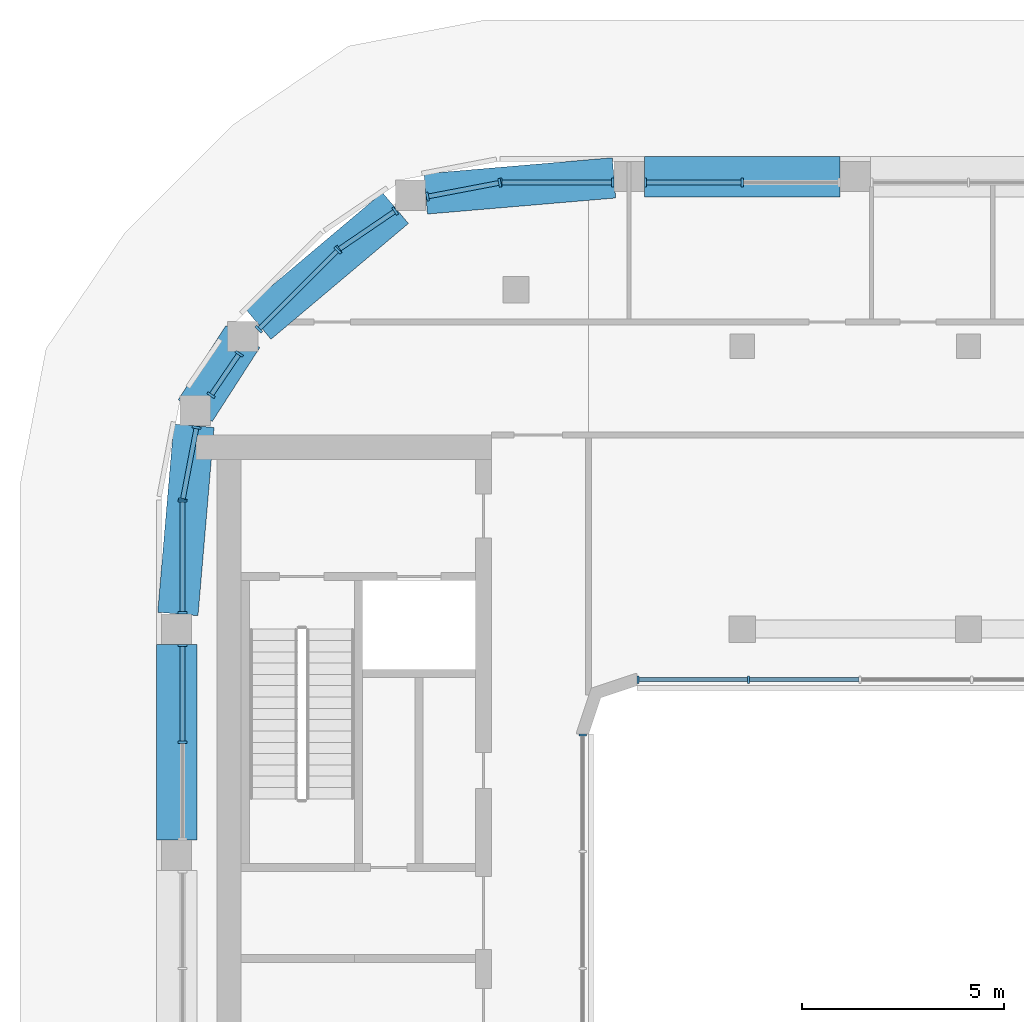
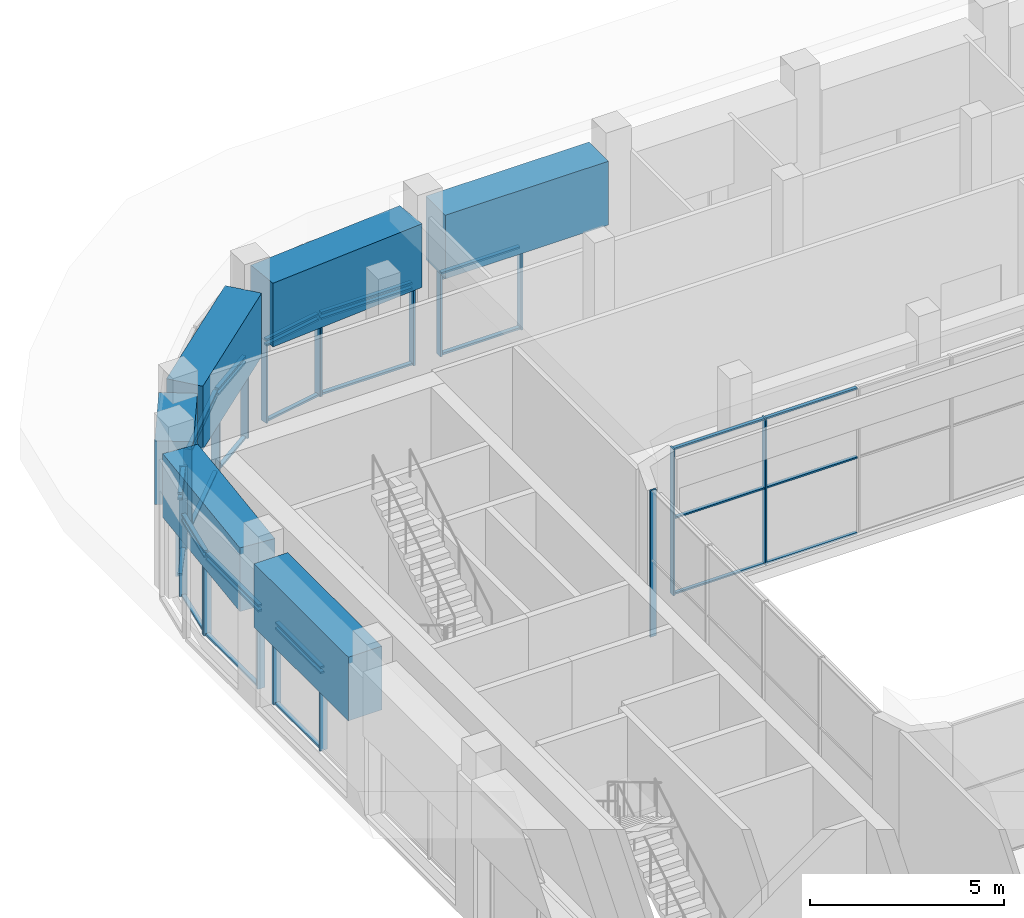
# One storey, part 7 of 23: 54 members, 6 beams, 11 elements without a shape of their own.
"""IFC4 building model written with IfcOpenShell, lengths in metres."""

from ifc_helpers import new_model, si_unit, direction, frame, origin, origin_2d, place, context, subcontext, project, spatial, rectangle, extrude, material, layer, layer_set, material_profile, profile_set, type_object, element, aggregate, save


model = new_model("IFC4")

# Units and contexts
model_context = context("Model", 3, precision=1e-05, world=origin(), true_north=direction((0.0, 1.0)))
body_context = subcontext(model_context, "Body", "Model", "MODEL_VIEW")
ifc_project = project(units=[si_unit("LENGTHUNIT", "METRE"), si_unit("AREAUNIT", "SQUARE_METRE"), si_unit("VOLUMEUNIT", "CUBIC_METRE"), si_unit("PLANEANGLEUNIT", "RADIAN"), si_unit("MASSUNIT", "GRAM", prefix="KILO")], contexts=[model_context])

# Site, building, storey
site_placement = place(None, origin())
site = spatial("IfcSite", under=ifc_project, at=site_placement, CompositionType="ELEMENT")
building_placement = place(site_placement, origin())
building = spatial("IfcBuilding", under=site, at=building_placement, Name="Kiln Ring Residences", CompositionType="ELEMENT")
storey_placement = place(building_placement, frame((0.0, 0.0, 294.5)))
storey = spatial("IfcBuildingStorey", under=building, at=storey_placement, Name="L76", CompositionType="ELEMENT", Elevation=294.5)

# Curtain wall, member
ifc_material_1 = material(Name="Aluminium and glass", Category="aluminium")
ifc_layer_1 = layer(ifc_material_1, 0.179931640625)
ifc_layer_set_1 = layer_set([ifc_layer_1], Name="CW3 CURTAIN WALL")
curtain_wall_type_1 = type_object("IfcCurtainWallType", Name="CW3 CURTAIN WALL", PredefinedType="NOTDEFINED", material=ifc_layer_set_1)
placement = place(storey_placement, origin())
curtain_wall_1 = element("IfcCurtainWall", 1, at=placement, inside=storey, type_object=curtain_wall_type_1, Name="Curtain wall CW3 L76", PredefinedType="NOTDEFINED")
ifc_material_2 = material(Name="Aluminium 6063-T6", Category="aluminium")
ifc_material_profile_1 = material_profile(ifc_material_2, rectangle(XDim=0.179931640625, YDim=0.050048828125, at=origin_2d()), Name="AL 180x50")
ifc_profile_set_1 = profile_set([ifc_material_profile_1], Name="Aluminium 6063-T6")
member_type_1 = type_object("IfcMemberType", Name="CW3 MULLION 180 x 50", PredefinedType="MULLION", material=ifc_profile_set_1)
member_1_placement = place(storey_placement, frame((-15.14990234375, 5.77490234375, 0.0), z_axis=(0.0, 0.0, 1.0), x_axis=(-1.0, 0.0, 0.0)))
member_1 = element("IfcMember", 2, at=member_1_placement, type_object=member_type_1, Name="CW3 mullion 5", PredefinedType="MULLION", context=body_context, shape_type="SweptSolid", body=[
    extrude(rectangle(XDim=0.179931640625, YDim=0.050048828125, at=origin_2d()), origin(), (0.0, 0.0, 1.0), 4.60009765625),
])
aggregate(curtain_wall_1, [member_1])

# Curtain wall, members
curtain_wall_2 = element("IfcCurtainWall", 3, at=placement, inside=storey, type_object=curtain_wall_type_1, Name="Curtain wall CW3 L76", PredefinedType="NOTDEFINED")
member_2_placement = place(storey_placement, frame((-13.77490234375, 7.14990234375, 0.0), z_axis=(0.0, 0.0, 1.0), x_axis=(0.0, 1.0, 0.0)))
member_2 = element("IfcMember", 4, at=member_2_placement, type_object=member_type_1, Name="CW3 mullion 1", PredefinedType="MULLION", context=body_context, shape_type="SweptSolid", body=[
    extrude(rectangle(XDim=0.179931640625, YDim=0.050048828125, at=origin_2d()), origin(), (0.0, 0.0, 1.0), 4.60009765625),
])
member_3_placement = place(storey_placement, frame((-11.0400390625, 7.14990234375, 0.0), z_axis=(0.0, 0.0, 1.0), x_axis=(0.0, 1.0, 0.0)))
member_3 = element("IfcMember", 5, at=member_3_placement, type_object=member_type_1, Name="CW3 mullion 2", PredefinedType="MULLION", context=body_context, shape_type="SweptSolid", body=[
    extrude(rectangle(XDim=0.179931640625, YDim=0.050048828125, at=origin_2d()), origin(), (0.0, 0.0, 1.0), 4.60009765625),
])
ifc_material_3 = material(Name="Aluminium 6063-T6", Category="aluminium")
ifc_material_profile_2 = material_profile(ifc_material_3, rectangle(XDim=0.10009765625, YDim=0.050048828125, at=origin_2d()), Name="AL 100x50")
ifc_profile_set_2 = profile_set([ifc_material_profile_2], Name="Aluminium 6063-T6")
member_type_2 = type_object("IfcMemberType", Name="CW3 TRANSOM 100 x 50", PredefinedType="USERDEFINED", material=ifc_profile_set_2)
member_4_placement = place(storey_placement, frame((-13.75, 7.14990234375, 0.02490234375), z_axis=(1.0, 0.0, 0.0), x_axis=(0.0, 1.0, 0.0)))
member_4 = element("IfcMember", 6, at=member_4_placement, type_object=member_type_2, Name="CW3 transom 1.1", ObjectType="TRANSOM", PredefinedType="USERDEFINED", context=body_context, shape_type="SweptSolid", body=[
    extrude(rectangle(XDim=0.10009765625, YDim=0.050048828125, at=origin_2d()), origin(), (0.0, 0.0, 1.0), 2.68505859375),
])
member_5_placement = place(storey_placement, frame((-13.75, 7.14990234375, 2.39990234375), z_axis=(1.0, 0.0, 0.0), x_axis=(0.0, 1.0, 0.0)))
member_5 = element("IfcMember", 7, at=member_5_placement, type_object=member_type_2, Name="CW3 transom 1.2", ObjectType="TRANSOM", PredefinedType="USERDEFINED", context=body_context, shape_type="SweptSolid", body=[
    extrude(rectangle(XDim=0.10009765625, YDim=0.050048828125, at=origin_2d()), origin(), (0.0, 0.0, 1.0), 2.68505859375),
])
member_6_placement = place(storey_placement, frame((-13.75, 7.14990234375, 4.574951171875), z_axis=(1.0, 0.0, 0.0), x_axis=(0.0, 1.0, 0.0)))
member_6 = element("IfcMember", 8, at=member_6_placement, type_object=member_type_2, Name="CW3 transom 1.3", ObjectType="TRANSOM", PredefinedType="USERDEFINED", context=body_context, shape_type="SweptSolid", body=[
    extrude(rectangle(XDim=0.10009765625, YDim=0.050048828125, at=origin_2d()), origin(), (0.0, 0.0, 1.0), 2.68505859375),
])
member_7_placement = place(storey_placement, frame((-11.014892578125, 7.14990234375, 0.02490234375), z_axis=(1.0, 0.0, 0.0), x_axis=(0.0, 1.0, 0.0)))
member_7 = element("IfcMember", 9, at=member_7_placement, type_object=member_type_2, Name="CW3 transom 2.1", ObjectType="TRANSOM", PredefinedType="USERDEFINED", context=body_context, shape_type="SweptSolid", body=[
    extrude(rectangle(XDim=0.10009765625, YDim=0.050048828125, at=origin_2d()), origin(), (0.0, 0.0, 1.0), 2.7099609375),
])
member_8_placement = place(storey_placement, frame((-11.014892578125, 7.14990234375, 2.39990234375), z_axis=(1.0, 0.0, 0.0), x_axis=(0.0, 1.0, 0.0)))
member_8 = element("IfcMember", 10, at=member_8_placement, type_object=member_type_2, Name="CW3 transom 2.2", ObjectType="TRANSOM", PredefinedType="USERDEFINED", context=body_context, shape_type="SweptSolid", body=[
    extrude(rectangle(XDim=0.10009765625, YDim=0.050048828125, at=origin_2d()), origin(), (0.0, 0.0, 1.0), 2.7099609375),
])
member_9_placement = place(storey_placement, frame((-11.014892578125, 7.14990234375, 4.574951171875), z_axis=(1.0, 0.0, 0.0), x_axis=(0.0, 1.0, 0.0)))
member_9 = element("IfcMember", 11, at=member_9_placement, type_object=member_type_2, Name="CW3 transom 2.3", ObjectType="TRANSOM", PredefinedType="USERDEFINED", context=body_context, shape_type="SweptSolid", body=[
    extrude(rectangle(XDim=0.10009765625, YDim=0.050048828125, at=origin_2d()), origin(), (0.0, 0.0, 1.0), 2.7099609375),
])
aggregate(curtain_wall_2, [member_2, member_3, member_4, member_5, member_6, member_7, member_8, member_9])

ifc_material_4 = material(Name="Aluminium and glass", Category="aluminium")
ifc_layer_2 = layer(ifc_material_4, 0.219970703125)
ifc_layer_set_2 = layer_set([ifc_layer_2], Name="CW5 CURTAIN WALL")
curtain_wall_type_2 = type_object("IfcCurtainWallType", Name="CW5 CURTAIN WALL", PredefinedType="NOTDEFINED", material=ifc_layer_set_2)
curtain_wall_3 = element("IfcCurtainWall", 12, at=placement, inside=storey, type_object=curtain_wall_type_2, Name="Curtain wall CW5 L76", PredefinedType="NOTDEFINED")
ifc_material_5 = material(Name="Aluminium 6063-T6", Category="aluminium")
ifc_material_profile_3 = material_profile(ifc_material_5, rectangle(XDim=0.219970703125, YDim=0.06005859375, at=origin_2d()), Name="AL 220x60")
ifc_profile_set_3 = profile_set([ifc_material_profile_3], Name="Aluminium 6063-T6")
member_type_3 = type_object("IfcMemberType", Name="CW5 MULLION 220 x 60", PredefinedType="MULLION", material=ifc_profile_set_3)
member_10_placement = place(storey_placement, frame((-11.199951171875, 19.449951171875, 0.0), z_axis=(0.0, 0.0, 1.0), x_axis=(0.0, -1.0, 0.0)))
member_10 = element("IfcMember", 13, at=member_10_placement, type_object=member_type_3, Name="CW5 mullion 2", PredefinedType="MULLION", context=body_context, shape_type="SweptSolid", body=[
    extrude(rectangle(XDim=0.219970703125, YDim=0.06005859375, at=origin_2d()), origin(), (0.0, 0.0, 1.0), 2.60009765625),
])
member_11_placement = place(storey_placement, frame((-13.594970703125, 19.449951171875, 0.0), z_axis=(0.0, 0.0, 1.0), x_axis=(0.0, -1.0, 0.0)))
member_11 = element("IfcMember", 14, at=member_11_placement, type_object=member_type_3, Name="CW5 mullion 3", PredefinedType="MULLION", context=body_context, shape_type="SweptSolid", body=[
    extrude(rectangle(XDim=0.219970703125, YDim=0.06005859375, at=origin_2d()), origin(), (0.0, 0.0, 1.0), 2.60009765625),
])

curtain_wall_4 = element("IfcCurtainWall", 15, at=placement, inside=storey, type_object=curtain_wall_type_2, Name="Curtain wall CW5 L76", PredefinedType="NOTDEFINED")
member_12_placement = place(storey_placement, frame((-14.405029296875, 19.449951171875, 0.0), z_axis=(0.0, 0.0, 1.0), x_axis=(0.0, -1.0, 0.0)))
member_12 = element("IfcMember", 16, at=member_12_placement, type_object=member_type_3, Name="CW5 mullion 1", PredefinedType="MULLION", context=body_context, shape_type="SweptSolid", body=[
    extrude(rectangle(XDim=0.219970703125, YDim=0.06005859375, at=origin_2d()), origin(), (0.0, 0.0, 1.0), 2.60009765625),
])
member_13_placement = place(storey_placement, frame((-17.169921875, 19.449951171875, 0.0), z_axis=(0.0, 0.0, 1.0), x_axis=(0.0, -1.0, 0.0)))
member_13 = element("IfcMember", 17, at=member_13_placement, type_object=member_type_3, Name="CW5 mullion 2", PredefinedType="MULLION", context=body_context, shape_type="SweptSolid", body=[
    extrude(rectangle(XDim=0.219970703125, YDim=0.06005859375, at=origin_2d()), origin(), (0.0, 0.0, 1.0), 2.60009765625),
])

curtain_wall_5 = element("IfcCurtainWall", 18, at=placement, inside=storey, type_object=curtain_wall_type_2, Name="Curtain wall CW5 L76", PredefinedType="NOTDEFINED")
member_14_placement = place(storey_placement, frame((-17.201416015625, 19.447021484375, 0.0), z_axis=(0.0, 0.0, 1.0), x_axis=(0.187365550364, -0.982290257784, 0.0)))
member_14 = element("IfcMember", 19, at=member_14_placement, type_object=member_type_3, Name="CW5 mullion 1", PredefinedType="MULLION", context=body_context, shape_type="SweptSolid", body=[
    extrude(rectangle(XDim=0.219970703125, YDim=0.06005859375, at=origin_2d()), origin(), (0.0, 0.0, 1.0), 2.60009765625),
])
member_15_placement = place(storey_placement, frame((-18.990234375, 19.105712890625, 0.0), z_axis=(0.0, 0.0, 1.0), x_axis=(0.187365550364, -0.982290257784, 0.0)))
member_15 = element("IfcMember", 20, at=member_15_placement, type_object=member_type_3, Name="CW5 mullion 2", PredefinedType="MULLION", context=body_context, shape_type="SweptSolid", body=[
    extrude(rectangle(XDim=0.219970703125, YDim=0.06005859375, at=origin_2d()), origin(), (0.0, 0.0, 1.0), 2.60009765625),
])

curtain_wall_6 = element("IfcCurtainWall", 21, at=placement, inside=storey, type_object=curtain_wall_type_2, Name="Curtain wall CW5 L76", PredefinedType="NOTDEFINED")
member_16_placement = place(storey_placement, frame((-19.789306640625, 18.746337890625, 0.0), z_axis=(0.0, 0.0, 1.0), x_axis=(0.562096651134, -0.827071553606, 0.0)))
member_16 = element("IfcMember", 22, at=member_16_placement, type_object=member_type_3, Name="CW5 mullion 1", PredefinedType="MULLION", context=body_context, shape_type="SweptSolid", body=[
    extrude(rectangle(XDim=0.219970703125, YDim=0.06005859375, at=origin_2d()), origin(), (0.0, 0.0, 1.0), 2.60009765625),
])
member_17_placement = place(storey_placement, frame((-21.18798828125, 17.795654296875, 0.0), z_axis=(0.0, 0.0, 1.0), x_axis=(0.562096651134, -0.827071553606, 0.0)))
member_17 = element("IfcMember", 23, at=member_17_placement, type_object=member_type_3, Name="CW5 mullion 2", PredefinedType="MULLION", context=body_context, shape_type="SweptSolid", body=[
    extrude(rectangle(XDim=0.219970703125, YDim=0.06005859375, at=origin_2d()), origin(), (0.0, 0.0, 1.0), 2.60009765625),
])

curtain_wall_7 = element("IfcCurtainWall", 24, at=placement, inside=storey, type_object=curtain_wall_type_2, Name="Curtain wall CW5 L76", PredefinedType="NOTDEFINED")
member_18_placement = place(storey_placement, frame((-21.212158203125, 17.775634765625, 0.0), z_axis=(0.0, 0.0, 1.0), x_axis=(0.707106781187, -0.707106781187, 0.0)))
member_18 = element("IfcMember", 25, at=member_18_placement, type_object=member_type_3, Name="CW5 mullion 1", PredefinedType="MULLION", context=body_context, shape_type="SweptSolid", body=[
    extrude(rectangle(XDim=0.219970703125, YDim=0.06005859375, at=origin_2d()), origin(), (0.0, 0.0, 1.0), 2.60009765625),
])
member_19_placement = place(storey_placement, frame((-23.16357421875, 15.82421875, 0.0), z_axis=(0.0, 0.0, 1.0), x_axis=(0.707106781187, -0.707106781187, 0.0)))
member_19 = element("IfcMember", 26, at=member_19_placement, type_object=member_type_3, Name="CW5 mullion 2", PredefinedType="MULLION", context=body_context, shape_type="SweptSolid", body=[
    extrude(rectangle(XDim=0.219970703125, YDim=0.06005859375, at=origin_2d()), origin(), (0.0, 0.0, 1.0), 2.60009765625),
])

curtain_wall_8 = element("IfcCurtainWall", 27, at=placement, inside=storey, type_object=curtain_wall_type_2, Name="Curtain wall CW5 L76", PredefinedType="NOTDEFINED")
member_20_placement = place(storey_placement, frame((-23.65087890625, 15.21240234375, 0.0), z_axis=(0.0, 0.0, 1.0), x_axis=(0.827071553674, -0.562096651033, 0.0)))
member_20 = element("IfcMember", 28, at=member_20_placement, type_object=member_type_3, Name="CW5 mullion 1", PredefinedType="MULLION", context=body_context, shape_type="SweptSolid", body=[
    extrude(rectangle(XDim=0.219970703125, YDim=0.06005859375, at=origin_2d()), origin(), (0.0, 0.0, 1.0), 2.60009765625),
])
member_21_placement = place(storey_placement, frame((-24.34619140625, 14.189453125, 0.0), z_axis=(0.0, 0.0, 1.0), x_axis=(0.827071553674, -0.562096651033, 0.0)))
member_21 = element("IfcMember", 29, at=member_21_placement, type_object=member_type_3, Name="CW5 mullion 2", PredefinedType="MULLION", context=body_context, shape_type="SweptSolid", body=[
    extrude(rectangle(XDim=0.219970703125, YDim=0.06005859375, at=origin_2d()), origin(), (0.0, 0.0, 1.0), 2.60009765625),
])

curtain_wall_9 = element("IfcCurtainWall", 30, at=placement, inside=storey, type_object=curtain_wall_type_2, Name="Curtain wall CW5 L76", PredefinedType="NOTDEFINED")
member_22_placement = place(storey_placement, frame((-24.705810546875, 13.39013671875, 0.0), z_axis=(0.0, 0.0, 1.0), x_axis=(0.982290257784, -0.187365550364, 0.0)))
member_22 = element("IfcMember", 31, at=member_22_placement, type_object=member_type_3, Name="CW5 mullion 1", PredefinedType="MULLION", context=body_context, shape_type="SweptSolid", body=[
    extrude(rectangle(XDim=0.219970703125, YDim=0.06005859375, at=origin_2d()), origin(), (0.0, 0.0, 1.0), 2.60009765625),
])
member_23_placement = place(storey_placement, frame((-25.047119140625, 11.601318359375, 0.0), z_axis=(0.0, 0.0, 1.0), x_axis=(0.982290257784, -0.187365550364, 0.0)))
member_23 = element("IfcMember", 32, at=member_23_placement, type_object=member_type_3, Name="CW5 mullion 2", PredefinedType="MULLION", context=body_context, shape_type="SweptSolid", body=[
    extrude(rectangle(XDim=0.219970703125, YDim=0.06005859375, at=origin_2d()), origin(), (0.0, 0.0, 1.0), 2.60009765625),
])

curtain_wall_10 = element("IfcCurtainWall", 33, at=placement, inside=storey, type_object=curtain_wall_type_2, Name="Curtain wall CW5 L76", PredefinedType="NOTDEFINED")
member_24_placement = place(storey_placement, frame((-25.050048828125, 11.570068359375, 0.0), z_axis=(0.0, 0.0, 1.0), x_axis=(1.0, 0.0, 0.0)))
member_24 = element("IfcMember", 34, at=member_24_placement, type_object=member_type_3, Name="CW5 mullion 1", PredefinedType="MULLION", context=body_context, shape_type="SweptSolid", body=[
    extrude(rectangle(XDim=0.219970703125, YDim=0.06005859375, at=origin_2d()), origin(), (0.0, 0.0, 1.0), 2.60009765625),
])
member_25_placement = place(storey_placement, frame((-25.050048828125, 8.804931640625, 0.0), z_axis=(0.0, 0.0, 1.0), x_axis=(1.0, 0.0, 0.0)))
member_25 = element("IfcMember", 35, at=member_25_placement, type_object=member_type_3, Name="CW5 mullion 2", PredefinedType="MULLION", context=body_context, shape_type="SweptSolid", body=[
    extrude(rectangle(XDim=0.219970703125, YDim=0.06005859375, at=origin_2d()), origin(), (0.0, 0.0, 1.0), 2.60009765625),
])

curtain_wall_11 = element("IfcCurtainWall", 36, at=placement, inside=storey, type_object=curtain_wall_type_2, Name="Curtain wall CW5 L76", PredefinedType="NOTDEFINED")
member_26_placement = place(storey_placement, frame((-25.050048828125, 7.9951171875, 0.0), z_axis=(0.0, 0.0, 1.0), x_axis=(1.0, 0.0, 0.0)))
member_26 = element("IfcMember", 37, at=member_26_placement, type_object=member_type_3, Name="CW5 mullion 1", PredefinedType="MULLION", context=body_context, shape_type="SweptSolid", body=[
    extrude(rectangle(XDim=0.219970703125, YDim=0.06005859375, at=origin_2d()), origin(), (0.0, 0.0, 1.0), 2.60009765625),
])
member_27_placement = place(storey_placement, frame((-25.050048828125, 5.60009765625, 0.0), z_axis=(0.0, 0.0, 1.0), x_axis=(1.0, 0.0, 0.0)))
member_27 = element("IfcMember", 38, at=member_27_placement, type_object=member_type_3, Name="CW5 mullion 2", PredefinedType="MULLION", context=body_context, shape_type="SweptSolid", body=[
    extrude(rectangle(XDim=0.219970703125, YDim=0.06005859375, at=origin_2d()), origin(), (0.0, 0.0, 1.0), 2.60009765625),
])

# Member
ifc_material_6 = material(Name="Aluminium 6063-T6", Category="aluminium")
ifc_material_profile_4 = material_profile(ifc_material_6, rectangle(XDim=0.1201171875, YDim=0.06005859375, at=origin_2d()), Name="AL 120x60")
ifc_profile_set_4 = profile_set([ifc_material_profile_4], Name="Aluminium 6063-T6")
member_type_4 = type_object("IfcMemberType", Name="CW5 TRANSOM 120 x 60", PredefinedType="USERDEFINED", material=ifc_profile_set_4)
member_28_placement = place(storey_placement, frame((-11.22998046875, 19.449951171875, 0.030029296875), z_axis=(-1.0, 0.0, 0.0), x_axis=(0.0, -1.0, 0.0)))
member_28 = element("IfcMember", 39, at=member_28_placement, type_object=member_type_4, Name="CW5 transom 2.1", ObjectType="TRANSOM", PredefinedType="USERDEFINED", context=body_context, shape_type="SweptSolid", body=[
    extrude(rectangle(XDim=0.1201171875, YDim=0.06005859375, at=origin_2d()), origin(), (0.0, 0.0, 1.0), 2.3349609375),
])

member_29_placement = place(storey_placement, frame((-11.22998046875, 19.449951171875, 2.39990234375), z_axis=(-1.0, 0.0, 0.0), x_axis=(0.0, -1.0, 0.0)))
member_29 = element("IfcMember", 40, at=member_29_placement, type_object=member_type_4, Name="CW5 transom 2.2", ObjectType="TRANSOM", PredefinedType="USERDEFINED", context=body_context, shape_type="SweptSolid", body=[
    extrude(rectangle(XDim=0.1201171875, YDim=0.06005859375, at=origin_2d()), origin(), (0.0, 0.0, 1.0), 2.3349609375),
])

member_30_placement = place(storey_placement, frame((-11.22998046875, 19.449951171875, 2.570068359375), z_axis=(-1.0, 0.0, 0.0), x_axis=(0.0, -1.0, 0.0)))
member_30 = element("IfcMember", 41, at=member_30_placement, type_object=member_type_4, Name="CW5 transom 2.3", ObjectType="TRANSOM", PredefinedType="USERDEFINED", context=body_context, shape_type="SweptSolid", body=[
    extrude(rectangle(XDim=0.1201171875, YDim=0.06005859375, at=origin_2d()), origin(), (0.0, 0.0, 1.0), 2.3349609375),
])

aggregate(curtain_wall_3, [member_10, member_11, member_28, member_29, member_30])

member_31_placement = place(storey_placement, frame((-14.43505859375, 19.449951171875, 0.030029296875), z_axis=(-1.0, 0.0, 0.0), x_axis=(0.0, -1.0, 0.0)))
member_31 = element("IfcMember", 42, at=member_31_placement, type_object=member_type_4, Name="CW5 transom 1.1", ObjectType="TRANSOM", PredefinedType="USERDEFINED", context=body_context, shape_type="SweptSolid", body=[
    extrude(rectangle(XDim=0.1201171875, YDim=0.06005859375, at=origin_2d()), origin(), (0.0, 0.0, 1.0), 2.704833984375),
])

member_32_placement = place(storey_placement, frame((-14.43505859375, 19.449951171875, 2.39990234375), z_axis=(-1.0, 0.0, 0.0), x_axis=(0.0, -1.0, 0.0)))
member_32 = element("IfcMember", 43, at=member_32_placement, type_object=member_type_4, Name="CW5 transom 1.2", ObjectType="TRANSOM", PredefinedType="USERDEFINED", context=body_context, shape_type="SweptSolid", body=[
    extrude(rectangle(XDim=0.1201171875, YDim=0.06005859375, at=origin_2d()), origin(), (0.0, 0.0, 1.0), 2.704833984375),
])

member_33_placement = place(storey_placement, frame((-14.43505859375, 19.449951171875, 2.570068359375), z_axis=(-1.0, 0.0, 0.0), x_axis=(0.0, -1.0, 0.0)))
member_33 = element("IfcMember", 44, at=member_33_placement, type_object=member_type_4, Name="CW5 transom 1.3", ObjectType="TRANSOM", PredefinedType="USERDEFINED", context=body_context, shape_type="SweptSolid", body=[
    extrude(rectangle(XDim=0.1201171875, YDim=0.06005859375, at=origin_2d()), origin(), (0.0, 0.0, 1.0), 2.704833984375),
])

aggregate(curtain_wall_4, [member_12, member_13, member_31, member_32, member_33])

member_34_placement = place(storey_placement, frame((-17.230712890625, 19.44140625, 0.030029296875), z_axis=(-0.982280279114, -0.187417857375, 0.0), x_axis=(0.187417857375, -0.982280279114, 0.0)))
member_34 = element("IfcMember", 45, at=member_34_placement, type_object=member_type_4, Name="CW5 transom 1.1", ObjectType="TRANSOM", PredefinedType="USERDEFINED", context=body_context, shape_type="SweptSolid", body=[
    extrude(rectangle(XDim=0.1201171875, YDim=0.06005859375, at=origin_2d()), origin(), (0.0, 0.0, 1.0), 1.76123046875),
])

member_35_placement = place(storey_placement, frame((-17.230712890625, 19.44140625, 2.39990234375), z_axis=(-0.982280279114, -0.187417857375, 0.0), x_axis=(0.187417857375, -0.982280279114, 0.0)))
member_35 = element("IfcMember", 46, at=member_35_placement, type_object=member_type_4, Name="CW5 transom 1.2", ObjectType="TRANSOM", PredefinedType="USERDEFINED", context=body_context, shape_type="SweptSolid", body=[
    extrude(rectangle(XDim=0.1201171875, YDim=0.06005859375, at=origin_2d()), origin(), (0.0, 0.0, 1.0), 1.76123046875),
])

member_36_placement = place(storey_placement, frame((-17.230712890625, 19.44140625, 2.570068359375), z_axis=(-0.982280279114, -0.187417857375, 0.0), x_axis=(0.187417857375, -0.982280279114, 0.0)))
member_36 = element("IfcMember", 47, at=member_36_placement, type_object=member_type_4, Name="CW5 transom 1.3", ObjectType="TRANSOM", PredefinedType="USERDEFINED", context=body_context, shape_type="SweptSolid", body=[
    extrude(rectangle(XDim=0.1201171875, YDim=0.06005859375, at=origin_2d()), origin(), (0.0, 0.0, 1.0), 1.76123046875),
])

aggregate(curtain_wall_5, [member_14, member_15, member_34, member_35, member_36])

member_37_placement = place(storey_placement, frame((-19.814208984375, 18.7294921875, 0.030029296875), z_axis=(-0.826996096484, -0.562207663058, 0.0), x_axis=(0.562207663058, -0.826996096484, 0.0)))
member_37 = element("IfcMember", 48, at=member_37_placement, type_object=member_type_4, Name="CW5 transom 1.1", ObjectType="TRANSOM", PredefinedType="USERDEFINED", context=body_context, shape_type="SweptSolid", body=[
    extrude(rectangle(XDim=0.1201171875, YDim=0.06005859375, at=origin_2d()), origin(), (0.0, 0.0, 1.0), 1.631103515625),
])

member_38_placement = place(storey_placement, frame((-19.814208984375, 18.7294921875, 2.39990234375), z_axis=(-0.826996096484, -0.562207663058, 0.0), x_axis=(0.562207663058, -0.826996096484, 0.0)))
member_38 = element("IfcMember", 49, at=member_38_placement, type_object=member_type_4, Name="CW5 transom 1.2", ObjectType="TRANSOM", PredefinedType="USERDEFINED", context=body_context, shape_type="SweptSolid", body=[
    extrude(rectangle(XDim=0.1201171875, YDim=0.06005859375, at=origin_2d()), origin(), (0.0, 0.0, 1.0), 1.631103515625),
])

member_39_placement = place(storey_placement, frame((-19.814208984375, 18.7294921875, 2.570068359375), z_axis=(-0.826996096484, -0.562207663058, 0.0), x_axis=(0.562207663058, -0.826996096484, 0.0)))
member_39 = element("IfcMember", 50, at=member_39_placement, type_object=member_type_4, Name="CW5 transom 1.3", ObjectType="TRANSOM", PredefinedType="USERDEFINED", context=body_context, shape_type="SweptSolid", body=[
    extrude(rectangle(XDim=0.1201171875, YDim=0.06005859375, at=origin_2d()), origin(), (0.0, 0.0, 1.0), 1.631103515625),
])

aggregate(curtain_wall_6, [member_16, member_17, member_37, member_38, member_39])

member_40_placement = place(storey_placement, frame((-21.2333984375, 17.75439453125, 0.030029296875), z_axis=(-0.707106781187, -0.707106781187, 0.0), x_axis=(0.707106781187, -0.707106781187, 0.0)))
member_40 = element("IfcMember", 51, at=member_40_placement, type_object=member_type_4, Name="CW5 transom 1.1", ObjectType="TRANSOM", PredefinedType="USERDEFINED", context=body_context, shape_type="SweptSolid", body=[
    extrude(rectangle(XDim=0.1201171875, YDim=0.06005859375, at=origin_2d()), origin(), (0.0, 0.0, 1.0), 2.69970703125),
])

member_41_placement = place(storey_placement, frame((-21.2333984375, 17.75439453125, 2.39990234375), z_axis=(-0.707106781187, -0.707106781187, 0.0), x_axis=(0.707106781187, -0.707106781187, 0.0)))
member_41 = element("IfcMember", 52, at=member_41_placement, type_object=member_type_4, Name="CW5 transom 1.2", ObjectType="TRANSOM", PredefinedType="USERDEFINED", context=body_context, shape_type="SweptSolid", body=[
    extrude(rectangle(XDim=0.1201171875, YDim=0.06005859375, at=origin_2d()), origin(), (0.0, 0.0, 1.0), 2.69970703125),
])

member_42_placement = place(storey_placement, frame((-21.2333984375, 17.75439453125, 2.570068359375), z_axis=(-0.707106781187, -0.707106781187, 0.0), x_axis=(0.707106781187, -0.707106781187, 0.0)))
member_42 = element("IfcMember", 53, at=member_42_placement, type_object=member_type_4, Name="CW5 transom 1.3", ObjectType="TRANSOM", PredefinedType="USERDEFINED", context=body_context, shape_type="SweptSolid", body=[
    extrude(rectangle(XDim=0.1201171875, YDim=0.06005859375, at=origin_2d()), origin(), (0.0, 0.0, 1.0), 2.69970703125),
])

aggregate(curtain_wall_7, [member_18, member_19, member_40, member_41, member_42])

member_43_placement = place(storey_placement, frame((-23.667724609375, 15.187744140625, 0.030029296875), z_axis=(-0.56204904385, -0.827103906596, 0.0), x_axis=(0.827103906596, -0.56204904385, 0.0)))
member_43 = element("IfcMember", 54, at=member_43_placement, type_object=member_type_4, Name="CW5 transom 1.1", ObjectType="TRANSOM", PredefinedType="USERDEFINED", context=body_context, shape_type="SweptSolid", body=[
    extrude(rectangle(XDim=0.1201171875, YDim=0.06005859375, at=origin_2d()), origin(), (0.0, 0.0, 1.0), 1.17724609375),
])

member_44_placement = place(storey_placement, frame((-23.667724609375, 15.187744140625, 2.39990234375), z_axis=(-0.56204904385, -0.827103906596, 0.0), x_axis=(0.827103906596, -0.56204904385, 0.0)))
member_44 = element("IfcMember", 55, at=member_44_placement, type_object=member_type_4, Name="CW5 transom 1.2", ObjectType="TRANSOM", PredefinedType="USERDEFINED", context=body_context, shape_type="SweptSolid", body=[
    extrude(rectangle(XDim=0.1201171875, YDim=0.06005859375, at=origin_2d()), origin(), (0.0, 0.0, 1.0), 1.17724609375),
])

member_45_placement = place(storey_placement, frame((-23.667724609375, 15.187744140625, 2.570068359375), z_axis=(-0.56204904385, -0.827103906596, 0.0), x_axis=(0.827103906596, -0.56204904385, 0.0)))
member_45 = element("IfcMember", 56, at=member_45_placement, type_object=member_type_4, Name="CW5 transom 1.3", ObjectType="TRANSOM", PredefinedType="USERDEFINED", context=body_context, shape_type="SweptSolid", body=[
    extrude(rectangle(XDim=0.1201171875, YDim=0.06005859375, at=origin_2d()), origin(), (0.0, 0.0, 1.0), 1.17724609375),
])

aggregate(curtain_wall_8, [member_20, member_21, member_43, member_44, member_45])

member_46_placement = place(storey_placement, frame((-24.71142578125, 13.36083984375, 0.030029296875), z_axis=(-0.187417857375, -0.982280279114, 0.0), x_axis=(0.982280279114, -0.187417857375, 0.0)))
member_46 = element("IfcMember", 57, at=member_46_placement, type_object=member_type_4, Name="CW5 transom 1.1", ObjectType="TRANSOM", PredefinedType="USERDEFINED", context=body_context, shape_type="SweptSolid", body=[
    extrude(rectangle(XDim=0.1201171875, YDim=0.06005859375, at=origin_2d()), origin(), (0.0, 0.0, 1.0), 1.76123046875),
])

member_47_placement = place(storey_placement, frame((-24.71142578125, 13.36083984375, 2.39990234375), z_axis=(-0.187417857375, -0.982280279114, 0.0), x_axis=(0.982280279114, -0.187417857375, 0.0)))
member_47 = element("IfcMember", 58, at=member_47_placement, type_object=member_type_4, Name="CW5 transom 1.2", ObjectType="TRANSOM", PredefinedType="USERDEFINED", context=body_context, shape_type="SweptSolid", body=[
    extrude(rectangle(XDim=0.1201171875, YDim=0.06005859375, at=origin_2d()), origin(), (0.0, 0.0, 1.0), 1.76123046875),
])

member_48_placement = place(storey_placement, frame((-24.71142578125, 13.36083984375, 2.570068359375), z_axis=(-0.187417857375, -0.982280279114, 0.0), x_axis=(0.982280279114, -0.187417857375, 0.0)))
member_48 = element("IfcMember", 59, at=member_48_placement, type_object=member_type_4, Name="CW5 transom 1.3", ObjectType="TRANSOM", PredefinedType="USERDEFINED", context=body_context, shape_type="SweptSolid", body=[
    extrude(rectangle(XDim=0.1201171875, YDim=0.06005859375, at=origin_2d()), origin(), (0.0, 0.0, 1.0), 1.76123046875),
])

aggregate(curtain_wall_9, [member_22, member_23, member_46, member_47, member_48])

member_49_placement = place(storey_placement, frame((-25.050048828125, 11.5400390625, 0.030029296875), z_axis=(0.0, -1.0, 0.0), x_axis=(1.0, 0.0, 0.0)))
member_49 = element("IfcMember", 60, at=member_49_placement, type_object=member_type_4, Name="CW5 transom 1.1", ObjectType="TRANSOM", PredefinedType="USERDEFINED", context=body_context, shape_type="SweptSolid", body=[
    extrude(rectangle(XDim=0.1201171875, YDim=0.06005859375, at=origin_2d()), origin(), (0.0, 0.0, 1.0), 2.705078125),
])

member_50_placement = place(storey_placement, frame((-25.050048828125, 11.5400390625, 2.39990234375), z_axis=(0.0, -1.0, 0.0), x_axis=(1.0, 0.0, 0.0)))
member_50 = element("IfcMember", 61, at=member_50_placement, type_object=member_type_4, Name="CW5 transom 1.2", ObjectType="TRANSOM", PredefinedType="USERDEFINED", context=body_context, shape_type="SweptSolid", body=[
    extrude(rectangle(XDim=0.1201171875, YDim=0.06005859375, at=origin_2d()), origin(), (0.0, 0.0, 1.0), 2.705078125),
])

member_51_placement = place(storey_placement, frame((-25.050048828125, 11.5400390625, 2.570068359375), z_axis=(0.0, -1.0, 0.0), x_axis=(1.0, 0.0, 0.0)))
member_51 = element("IfcMember", 62, at=member_51_placement, type_object=member_type_4, Name="CW5 transom 1.3", ObjectType="TRANSOM", PredefinedType="USERDEFINED", context=body_context, shape_type="SweptSolid", body=[
    extrude(rectangle(XDim=0.1201171875, YDim=0.06005859375, at=origin_2d()), origin(), (0.0, 0.0, 1.0), 2.705078125),
])

aggregate(curtain_wall_10, [member_24, member_25, member_49, member_50, member_51])

member_52_placement = place(storey_placement, frame((-25.050048828125, 7.965087890625, 0.030029296875), z_axis=(0.0, -1.0, 0.0), x_axis=(1.0, 0.0, 0.0)))
member_52 = element("IfcMember", 63, at=member_52_placement, type_object=member_type_4, Name="CW5 transom 1.1", ObjectType="TRANSOM", PredefinedType="USERDEFINED", context=body_context, shape_type="SweptSolid", body=[
    extrude(rectangle(XDim=0.1201171875, YDim=0.06005859375, at=origin_2d()), origin(), (0.0, 0.0, 1.0), 2.335205078125),
])

member_53_placement = place(storey_placement, frame((-25.050048828125, 7.965087890625, 2.39990234375), z_axis=(0.0, -1.0, 0.0), x_axis=(1.0, 0.0, 0.0)))
member_53 = element("IfcMember", 64, at=member_53_placement, type_object=member_type_4, Name="CW5 transom 1.2", ObjectType="TRANSOM", PredefinedType="USERDEFINED", context=body_context, shape_type="SweptSolid", body=[
    extrude(rectangle(XDim=0.1201171875, YDim=0.06005859375, at=origin_2d()), origin(), (0.0, 0.0, 1.0), 2.335205078125),
])

member_54_placement = place(storey_placement, frame((-25.050048828125, 7.965087890625, 2.570068359375), z_axis=(0.0, -1.0, 0.0), x_axis=(1.0, 0.0, 0.0)))
member_54 = element("IfcMember", 65, at=member_54_placement, type_object=member_type_4, Name="CW5 transom 1.3", ObjectType="TRANSOM", PredefinedType="USERDEFINED", context=body_context, shape_type="SweptSolid", body=[
    extrude(rectangle(XDim=0.1201171875, YDim=0.06005859375, at=origin_2d()), origin(), (0.0, 0.0, 1.0), 2.335205078125),
])

aggregate(curtain_wall_11, [member_26, member_27, member_52, member_53, member_54])

# Beams
ifc_material_7 = material(Name="Concrete C70/85", Category="concrete")
ifc_material_profile_5 = material_profile(ifc_material_7, rectangle(XDim=1.0, YDim=2.0, at=origin_2d()), Name="RC1000x2000")
ifc_profile_set_5 = profile_set([ifc_material_profile_5], Name="Concrete C70/85")
beam_type = type_object("IfcBeamType", Name="Transfer girder RC1000x2000 C70/85", PredefinedType="BEAM", material=ifc_profile_set_5)
beam_1_placement = place(storey_placement, frame((-8.77490234375, 19.60009765625, 3.60009765625), z_axis=(-1.0, 0.0, 0.0), x_axis=(0.0, -1.0, 0.0)))
element("IfcBeam", 66, at=beam_1_placement, inside=storey, type_object=beam_type, Name="Transfer girder L76 22", PredefinedType="BEAM", context=body_context, shape_type="SweptSolid", body=[
    extrude(rectangle(XDim=1.0, YDim=2.0, at=origin_2d()), origin(), (0.0, 0.0, 1.0), 4.85009765625),
])
beam_2_placement = place(storey_placement, frame((-14.375, 19.56787109375, 3.60009765625), z_axis=(-0.996375913916, -0.085059027553, 0.0), x_axis=(0.085059027553, -0.996375913916, 0.0)))
element("IfcBeam", 67, at=beam_2_placement, inside=storey, type_object=beam_type, Name="Transfer girder L76 23", PredefinedType="BEAM", context=body_context, shape_type="SweptSolid", body=[
    extrude(rectangle(XDim=1.0, YDim=2.0, at=origin_2d()), origin(), (0.0, 0.0, 1.0), 4.675537109375),
])
beam_3_placement = place(storey_placement, frame((-19.78369140625, 18.822021484375, 3.60009765625), z_axis=(-0.764731805725, -0.644348714062, 0.0), x_axis=(0.644348714062, -0.764731805725, 0.0)))
element("IfcBeam", 68, at=beam_3_placement, inside=storey, type_object=beam_type, Name="Transfer girder L76 24", PredefinedType="BEAM", context=body_context, shape_type="SweptSolid", body=[
    extrude(rectangle(XDim=1.0, YDim=2.0, at=origin_2d()), origin(), (0.0, 0.0, 1.0), 4.447509765625),
])
beam_4_placement = place(storey_placement, frame((-23.559814453125, 15.64013671875, 3.60009765625), z_axis=(-0.541018199108, -0.84101088473, 0.0), x_axis=(0.84101088473, -0.541018199108, 0.0)))
element("IfcBeam", 69, at=beam_4_placement, inside=storey, type_object=beam_type, Name="Transfer girder L76 25", PredefinedType="BEAM", context=body_context, shape_type="SweptSolid", body=[
    extrude(rectangle(XDim=1.0, YDim=2.0, at=origin_2d()), origin(), (0.0, 0.0, 1.0), 2.177734375),
])
beam_5_placement = place(storey_placement, frame((-24.77001953125, 13.43359375, 3.60009765625), z_axis=(-0.085110864913, -0.996371487285, 0.0), x_axis=(0.996371487285, -0.085110864913, 0.0)))
element("IfcBeam", 70, at=beam_5_placement, inside=storey, type_object=beam_type, Name="Transfer girder L76 26", PredefinedType="BEAM", context=body_context, shape_type="SweptSolid", body=[
    extrude(rectangle(XDim=1.0, YDim=2.0, at=origin_2d()), origin(), (0.0, 0.0, 1.0), 4.675537109375),
])
beam_6_placement = place(storey_placement, frame((-25.199951171875, 8.02490234375, 3.60009765625), z_axis=(0.0, -1.0, 0.0), x_axis=(1.0, 0.0, 0.0)))
element("IfcBeam", 71, at=beam_6_placement, inside=storey, type_object=beam_type, Name="Transfer girder L76 27", PredefinedType="BEAM", context=body_context, shape_type="SweptSolid", body=[
    extrude(rectangle(XDim=1.0, YDim=2.0, at=origin_2d()), origin(), (0.0, 0.0, 1.0), 4.849853515625),
])

save(model, "model.ifc")
